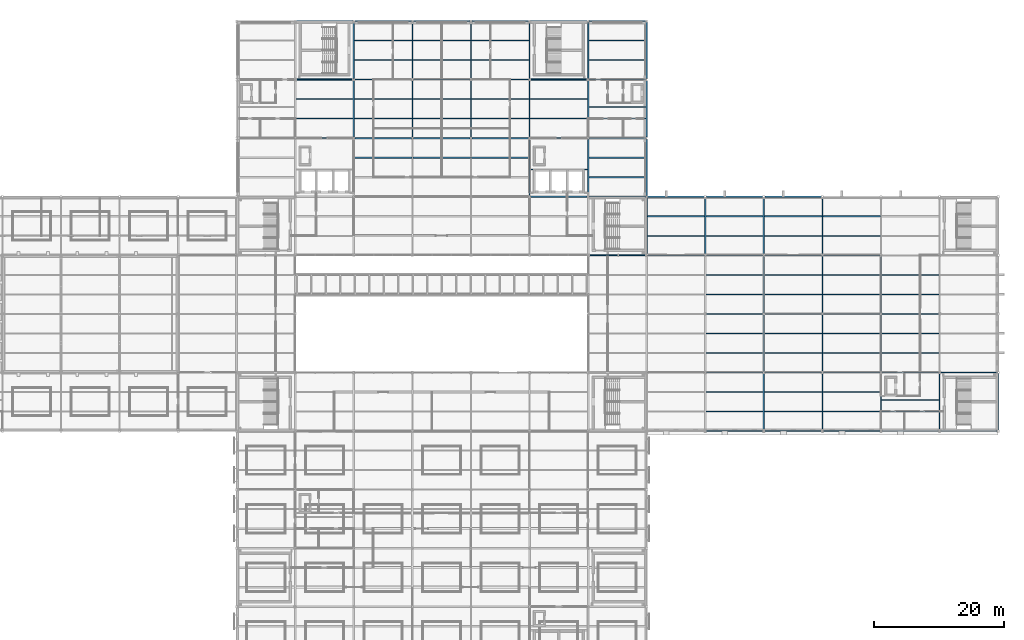
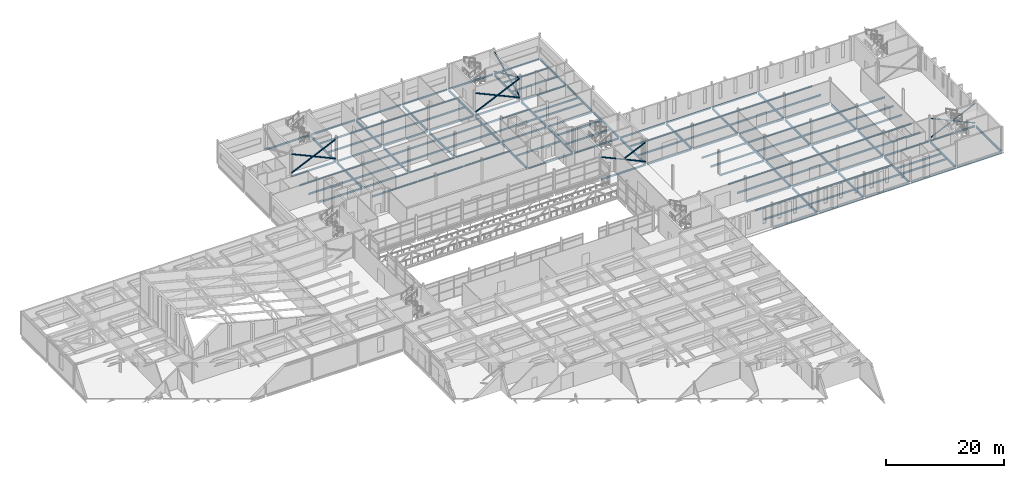
# One storey, part 70 of 115: 130 beams, 10 members.
"""IFC4 building model written with IfcOpenShell, lengths in metres."""

from ifc_helpers import new_model, si_unit, direction, frame, origin, origin_2d, place, context, subcontext, project, spatial, hollow_circle, i_section, extrude, material, material_profile, profile_set, type_object, element, save


model = new_model("IFC4")

# Units and contexts
model_context = context("Model", 3, precision=1e-05, world=origin(), true_north=direction((0.0, 1.0)))
body_context = subcontext(model_context, "Body", "Model", "MODEL_VIEW")
ifc_project = project(units=[si_unit("LENGTHUNIT", "METRE"), si_unit("AREAUNIT", "SQUARE_METRE"), si_unit("VOLUMEUNIT", "CUBIC_METRE"), si_unit("PLANEANGLEUNIT", "RADIAN"), si_unit("MASSUNIT", "GRAM", prefix="KILO")], contexts=[model_context])

# Site, building, storey
site_placement = place(None, origin())
site = spatial("IfcSite", under=ifc_project, at=site_placement, CompositionType="ELEMENT")
building_placement = place(site_placement, origin())
building = spatial("IfcBuilding", under=site, at=building_placement, Name="Shorebreak Coast Museum", CompositionType="ELEMENT")
storey_placement = place(building_placement, frame((0.0, 0.0, 11.0)))
storey = spatial("IfcBuildingStorey", under=building, at=storey_placement, Name="L02", CompositionType="ELEMENT", Elevation=11.0)

# Beams
ifc_material_1 = material(Name="Steel Grade 300", Category="steel")
ifc_material_profile_1 = material_profile(ifc_material_1, i_section(OverallWidth=0.1708984375, OverallDepth=0.355712890625, WebThickness=0.00732421875, FlangeThickness=0.011474609375, FilletRadius=0.011474609375, at=origin_2d()), Name="360UB50.7")
ifc_profile_set_1 = profile_set([ifc_material_profile_1], Name="Steel Grade 300")
beam_type_1 = type_object("IfcBeamType", Name="Floor girder east-west 360UB50.7", PredefinedType="BEAM", material=ifc_profile_set_1)
for number, where, z_axis, x_axis, name in (
    (1, (126.14990234375, 54.0, -0.352783203125), (1.0, 0.0, 0.0), (0.0, 1.0, 0.0), "Floor girder east-west L02 15G"),
    (2, (135.14990234375, 54.0, -0.352783203125), (1.0, 0.0, 0.0), (0.0, 1.0, 0.0), "Floor girder east-west L02 16G"),
    (3, (144.14990234375, 54.0, -0.352783203125), (1.0, 0.0, 0.0), (0.0, 1.0, 0.0), "Floor girder east-west L02 17G"),
    (4, (153.14990234375, 54.0, -0.352783203125), (1.0, 0.0, 0.0), (0.0, 1.0, 0.0), "Floor girder east-west L02 18G"),
    (5, (162.14990234375, 54.0, -0.352783203125), (1.0, 0.0, 0.0), (0.0, 1.0, 0.0), "Floor girder east-west L02 19G"),
):
    element("IfcBeam", number, at=place(storey_placement, frame(where, z_axis=z_axis, x_axis=x_axis)), inside=storey, type_object=beam_type_1, Name=name, PredefinedType="BEAM", context=body_context, shape_type="SweptSolid", body=[
        extrude(i_section(OverallWidth=0.1708984375, OverallDepth=0.355712890625, WebThickness=0.00732421875, FlangeThickness=0.011474609375, FilletRadius=0.011474609375, at=origin_2d()), origin(), (0.0, 0.0, 1.0), 8.7001953125),
    ])
for number, where, z_axis, x_axis, name in (
    (6, (126.154541015625, 63.0, -0.352783203125), (1.0, 0.0, 0.0), (0.0, 1.0, 0.0), "Floor girder east-west L02 15H"),
    (7, (135.154541015625, 63.0, -0.352783203125), (1.0, 0.0, 0.0), (0.0, 1.0, 0.0), "Floor girder east-west L02 16H"),
    (8, (144.154541015625, 63.0, -0.352783203125), (1.0, 0.0, 0.0), (0.0, 1.0, 0.0), "Floor girder east-west L02 17H"),
    (9, (153.154541015625, 63.0, -0.352783203125), (1.0, 0.0, 0.0), (0.0, 1.0, 0.0), "Floor girder east-west L02 18H"),
):
    element("IfcBeam", number, at=place(storey_placement, frame(where, z_axis=z_axis, x_axis=x_axis)), inside=storey, type_object=beam_type_1, Name=name, PredefinedType="BEAM", context=body_context, shape_type="SweptSolid", body=[
        extrude(i_section(OverallWidth=0.1708984375, OverallDepth=0.355712890625, WebThickness=0.00732421875, FlangeThickness=0.011474609375, FilletRadius=0.011474609375, at=origin_2d()), origin(), (0.0, 0.0, 1.0), 8.69091796875),
    ])
beam_1_placement = place(storey_placement, frame((162.154541015625, 63.0, -0.352783203125), z_axis=(1.0, 0.0, 0.0), x_axis=(0.0, 1.0, 0.0)))
element("IfcBeam", 10, at=beam_1_placement, inside=storey, type_object=beam_type_1, Name="Floor girder east-west L02 19H", PredefinedType="BEAM", context=body_context, shape_type="SweptSolid", body=[
    extrude(i_section(OverallWidth=0.1708984375, OverallDepth=0.355712890625, WebThickness=0.00732421875, FlangeThickness=0.011474609375, FilletRadius=0.011474609375, at=origin_2d()), origin(), (0.0, 0.0, 1.0), 8.695556640625),
])
for number, where, z_axis, x_axis, name in (
    (11, (126.154541015625, 72.0, -0.352783203125), (1.0, 0.0, 0.0), (0.0, 1.0, 0.0), "Floor girder east-west L02 15J"),
    (12, (135.154541015625, 72.0, -0.352783203125), (1.0, 0.0, 0.0), (0.0, 1.0, 0.0), "Floor girder east-west L02 16J"),
    (13, (144.154541015625, 72.0, -0.352783203125), (1.0, 0.0, 0.0), (0.0, 1.0, 0.0), "Floor girder east-west L02 17J"),
    (14, (153.154541015625, 72.0, -0.352783203125), (1.0, 0.0, 0.0), (0.0, 1.0, 0.0), "Floor girder east-west L02 18J"),
    (15, (117.154541015625, 81.0, -0.352783203125), (1.0, 0.0, 0.0), (0.0, 1.0, 0.0), "Floor girder east-west L02 14K"),
    (16, (126.154541015625, 81.0, -0.352783203125), (1.0, 0.0, 0.0), (0.0, 1.0, 0.0), "Floor girder east-west L02 15K"),
    (17, (135.154541015625, 81.0, -0.352783203125), (1.0, 0.0, 0.0), (0.0, 1.0, 0.0), "Floor girder east-west L02 16K"),
    (18, (144.154541015625, 81.0, -0.352783203125), (1.0, 0.0, 0.0), (0.0, 1.0, 0.0), "Floor girder east-west L02 17K"),
):
    element("IfcBeam", number, at=place(storey_placement, frame(where, z_axis=z_axis, x_axis=x_axis)), inside=storey, type_object=beam_type_1, Name=name, PredefinedType="BEAM", context=body_context, shape_type="SweptSolid", body=[
        extrude(i_section(OverallWidth=0.1708984375, OverallDepth=0.355712890625, WebThickness=0.00732421875, FlangeThickness=0.011474609375, FilletRadius=0.011474609375, at=origin_2d()), origin(), (0.0, 0.0, 1.0), 8.69091796875),
    ])
beam_2_placement = place(storey_placement, frame((117.155517578125, 90.0, -0.352783203125), z_axis=(1.0, 0.0, 0.0), x_axis=(0.0, 1.0, 0.0)))
element("IfcBeam", 19, at=beam_2_placement, inside=storey, type_object=beam_type_1, Name="Floor girder east-west L02 14L", PredefinedType="BEAM", context=body_context, shape_type="SweptSolid", body=[
    extrude(i_section(OverallWidth=0.1708984375, OverallDepth=0.355712890625, WebThickness=0.00732421875, FlangeThickness=0.011474609375, FilletRadius=0.011474609375, at=origin_2d()), origin(), (0.0, 0.0, 1.0), 8.694580078125),
])
for number, where, z_axis, x_axis, name in (
    (20, (126.14990234375, 90.0, -0.352783203125), (1.0, 0.0, 0.0), (0.0, 1.0, 0.0), "Floor girder east-west L02 15L"),
    (21, (135.14990234375, 90.0, -0.352783203125), (1.0, 0.0, 0.0), (0.0, 1.0, 0.0), "Floor girder east-west L02 16L"),
):
    element("IfcBeam", number, at=place(storey_placement, frame(where, z_axis=z_axis, x_axis=x_axis)), inside=storey, type_object=beam_type_1, Name=name, PredefinedType="BEAM", context=body_context, shape_type="SweptSolid", body=[
        extrude(i_section(OverallWidth=0.1708984375, OverallDepth=0.355712890625, WebThickness=0.00732421875, FlangeThickness=0.011474609375, FilletRadius=0.011474609375, at=origin_2d()), origin(), (0.0, 0.0, 1.0), 8.7001953125),
    ])
ifc_material_2 = material(Name="Steel Grade 300", Category="steel")
ifc_material_profile_2 = material_profile(ifc_material_2, i_section(OverallWidth=0.172119140625, OverallDepth=0.358642578125, WebThickness=0.008056640625, FlangeThickness=0.012939453125, FilletRadius=0.011474609375, at=origin_2d()), Name="360UB56.7")
ifc_profile_set_2 = profile_set([ifc_material_profile_2], Name="Steel Grade 300")
beam_type_2 = type_object("IfcBeamType", Name="Floor girder east-west 360UB56.7", PredefinedType="BEAM", material=ifc_profile_set_2)
beam_3_placement = place(storey_placement, frame((108.155517578125, 81.0, -0.354248046875), z_axis=(1.0, 0.0, 0.0), x_axis=(0.0, 1.0, 0.0)))
element("IfcBeam", 22, at=beam_3_placement, inside=storey, type_object=beam_type_2, Name="Floor girder east-west L02 13K", PredefinedType="BEAM", context=body_context, shape_type="SweptSolid", body=[
    extrude(i_section(OverallWidth=0.172119140625, OverallDepth=0.358642578125, WebThickness=0.008056640625, FlangeThickness=0.012939453125, FilletRadius=0.011474609375, at=origin_2d()), origin(), (0.0, 0.0, 1.0), 8.68994140625),
])
for number, where, z_axis, x_axis, name in (
    (23, (99.155517578125, 90.0, -0.354248046875), (1.0, 0.0, 0.0), (0.0, 1.0, 0.0), "Floor girder east-west L02 12L"),
    (24, (108.155517578125, 90.0, -0.354248046875), (1.0, 0.0, 0.0), (0.0, 1.0, 0.0), "Floor girder east-west L02 13L"),
):
    element("IfcBeam", number, at=place(storey_placement, frame(where, z_axis=z_axis, x_axis=x_axis)), inside=storey, type_object=beam_type_2, Name=name, PredefinedType="BEAM", context=body_context, shape_type="SweptSolid", body=[
        extrude(i_section(OverallWidth=0.172119140625, OverallDepth=0.358642578125, WebThickness=0.008056640625, FlangeThickness=0.012939453125, FilletRadius=0.011474609375, at=origin_2d()), origin(), (0.0, 0.0, 1.0), 8.68896484375),
    ])
for number, where, z_axis, x_axis, name in (
    (25, (63.154541015625, 99.0, -0.354248046875), (1.0, 0.0, 0.0), (0.0, 1.0, 0.0), "Floor girder east-west L02 8M"),
    (26, (72.154541015625, 99.0, -0.354248046875), (1.0, 0.0, 0.0), (0.0, 1.0, 0.0), "Floor girder east-west L02 9M"),
    (27, (81.154541015625, 99.0, -0.354248046875), (1.0, 0.0, 0.0), (0.0, 1.0, 0.0), "Floor girder east-west L02 10M"),
    (28, (90.154541015625, 99.0, -0.354248046875), (1.0, 0.0, 0.0), (0.0, 1.0, 0.0), "Floor girder east-west L02 11M"),
    (29, (99.154541015625, 99.0, -0.354248046875), (1.0, 0.0, 0.0), (0.0, 1.0, 0.0), "Floor girder east-west L02 12M"),
    (30, (108.154541015625, 99.0, -0.354248046875), (1.0, 0.0, 0.0), (0.0, 1.0, 0.0), "Floor girder east-west L02 13M"),
    (31, (63.154541015625, 108.0, -0.354248046875), (1.0, 0.0, 0.0), (0.0, 1.0, 0.0), "Floor girder east-west L02 8N"),
    (32, (72.154541015625, 108.0, -0.354248046875), (1.0, 0.0, 0.0), (0.0, 1.0, 0.0), "Floor girder east-west L02 9N"),
    (33, (81.154541015625, 108.0, -0.354248046875), (1.0, 0.0, 0.0), (0.0, 1.0, 0.0), "Floor girder east-west L02 10N"),
    (34, (90.154541015625, 108.0, -0.354248046875), (1.0, 0.0, 0.0), (0.0, 1.0, 0.0), "Floor girder east-west L02 11N"),
    (35, (99.154541015625, 108.0, -0.354248046875), (1.0, 0.0, 0.0), (0.0, 1.0, 0.0), "Floor girder east-west L02 12N"),
    (36, (108.154541015625, 108.0, -0.354248046875), (1.0, 0.0, 0.0), (0.0, 1.0, 0.0), "Floor girder east-west L02 13N"),
):
    element("IfcBeam", number, at=place(storey_placement, frame(where, z_axis=z_axis, x_axis=x_axis)), inside=storey, type_object=beam_type_2, Name=name, PredefinedType="BEAM", context=body_context, shape_type="SweptSolid", body=[
        extrude(i_section(OverallWidth=0.172119140625, OverallDepth=0.358642578125, WebThickness=0.008056640625, FlangeThickness=0.012939453125, FilletRadius=0.011474609375, at=origin_2d()), origin(), (0.0, 0.0, 1.0), 8.69091796875),
    ])
for number, where, z_axis, x_axis, name in (
    (37, (63.155517578125, 117.0, -0.354248046875), (1.0, 0.0, 0.0), (0.0, 1.0, 0.0), "Floor girder east-west L02 8P"),
    (38, (72.155517578125, 117.0, -0.354248046875), (1.0, 0.0, 0.0), (0.0, 1.0, 0.0), "Floor girder east-west L02 9P"),
    (39, (81.155517578125, 117.0, -0.354248046875), (1.0, 0.0, 0.0), (0.0, 1.0, 0.0), "Floor girder east-west L02 10P"),
    (40, (90.155517578125, 117.0, -0.354248046875), (1.0, 0.0, 0.0), (0.0, 1.0, 0.0), "Floor girder east-west L02 11P"),
    (41, (99.155517578125, 117.0, -0.354248046875), (1.0, 0.0, 0.0), (0.0, 1.0, 0.0), "Floor girder east-west L02 12P"),
    (42, (108.155517578125, 117.0, -0.354248046875), (1.0, 0.0, 0.0), (0.0, 1.0, 0.0), "Floor girder east-west L02 13P"),
):
    element("IfcBeam", number, at=place(storey_placement, frame(where, z_axis=z_axis, x_axis=x_axis)), inside=storey, type_object=beam_type_2, Name=name, PredefinedType="BEAM", context=body_context, shape_type="SweptSolid", body=[
        extrude(i_section(OverallWidth=0.172119140625, OverallDepth=0.358642578125, WebThickness=0.008056640625, FlangeThickness=0.012939453125, FilletRadius=0.011474609375, at=origin_2d()), origin(), (0.0, 0.0, 1.0), 8.68896484375),
    ])
ifc_material_3 = material(Name="Steel Grade 300", Category="steel")
ifc_material_profile_3 = material_profile(ifc_material_3, i_section(OverallWidth=0.19091796875, OverallDepth=0.46044921875, WebThickness=0.010009765625, FlangeThickness=0.01611328125, FilletRadius=0.011474609375, at=origin_2d()), Name="460UB82.1")
ifc_profile_set_3 = profile_set([ifc_material_profile_3], Name="Steel Grade 300")
beam_type_3 = type_object("IfcBeamType", Name="Floor girder north-south 460UB82.1", PredefinedType="BEAM", material=ifc_profile_set_3)
for number, where, z_axis, x_axis, name in (
    (43, (135.0, 54.14990234375, -0.4052734375), (0.0, 1.0, 0.0), (-1.0, 0.0, 0.0), "Floor girder north-south L02 16G"),
    (44, (144.0, 54.14990234375, -0.4052734375), (0.0, 1.0, 0.0), (-1.0, 0.0, 0.0), "Floor girder north-south L02 17G"),
    (45, (153.0, 54.14990234375, -0.4052734375), (0.0, 1.0, 0.0), (-1.0, 0.0, 0.0), "Floor girder north-south L02 18G"),
    (46, (162.0, 54.14990234375, -0.4052734375), (0.0, 1.0, 0.0), (-1.0, 0.0, 0.0), "Floor girder north-south L02 19G"),
):
    element("IfcBeam", number, at=place(storey_placement, frame(where, z_axis=z_axis, x_axis=x_axis)), inside=storey, type_object=beam_type_3, Name=name, PredefinedType="BEAM", context=body_context, shape_type="SweptSolid", body=[
        extrude(i_section(OverallWidth=0.19091796875, OverallDepth=0.46044921875, WebThickness=0.010009765625, FlangeThickness=0.01611328125, FilletRadius=0.011474609375, at=origin_2d()), origin(), (0.0, 0.0, 1.0), 8.689697265625),
    ])
beam_4_placement = place(storey_placement, frame((171.0, 54.14990234375, -0.4052734375), z_axis=(0.0, 1.0, 0.0), x_axis=(-1.0, 0.0, 0.0)))
element("IfcBeam", 47, at=beam_4_placement, inside=storey, type_object=beam_type_3, Name="Floor girder north-south L02 20G", PredefinedType="BEAM", context=body_context, shape_type="SweptSolid", body=[
    extrude(i_section(OverallWidth=0.19091796875, OverallDepth=0.46044921875, WebThickness=0.010009765625, FlangeThickness=0.01611328125, FilletRadius=0.011474609375, at=origin_2d()), origin(), (0.0, 0.0, 1.0), 8.7001953125),
])
for number, where, z_axis, x_axis, name in (
    (48, (135.0, 63.160400390625, -0.4052734375), (0.0, 1.0, 0.0), (-1.0, 0.0, 0.0), "Floor girder north-south L02 16H"),
    (49, (144.0, 63.160400390625, -0.4052734375), (0.0, 1.0, 0.0), (-1.0, 0.0, 0.0), "Floor girder north-south L02 17H"),
    (50, (153.0, 63.160400390625, -0.4052734375), (0.0, 1.0, 0.0), (-1.0, 0.0, 0.0), "Floor girder north-south L02 18H"),
    (51, (135.0, 72.160400390625, -0.4052734375), (0.0, 1.0, 0.0), (-1.0, 0.0, 0.0), "Floor girder north-south L02 16J"),
    (52, (144.0, 72.160400390625, -0.4052734375), (0.0, 1.0, 0.0), (-1.0, 0.0, 0.0), "Floor girder north-south L02 17J"),
    (53, (153.0, 72.160400390625, -0.4052734375), (0.0, 1.0, 0.0), (-1.0, 0.0, 0.0), "Floor girder north-south L02 18J"),
):
    element("IfcBeam", number, at=place(storey_placement, frame(where, z_axis=z_axis, x_axis=x_axis)), inside=storey, type_object=beam_type_3, Name=name, PredefinedType="BEAM", context=body_context, shape_type="SweptSolid", body=[
        extrude(i_section(OverallWidth=0.19091796875, OverallDepth=0.46044921875, WebThickness=0.010009765625, FlangeThickness=0.01611328125, FilletRadius=0.011474609375, at=origin_2d()), origin(), (0.0, 0.0, 1.0), 8.67919921875),
    ])
beam_5_placement = place(storey_placement, frame((117.0, 81.160400390625, -0.4052734375), z_axis=(0.0, 1.0, 0.0), x_axis=(-1.0, 0.0, 0.0)))
element("IfcBeam", 54, at=beam_5_placement, inside=storey, type_object=beam_type_3, Name="Floor girder north-south L02 14K", PredefinedType="BEAM", context=body_context, shape_type="SweptSolid", body=[
    extrude(i_section(OverallWidth=0.19091796875, OverallDepth=0.46044921875, WebThickness=0.010009765625, FlangeThickness=0.01611328125, FilletRadius=0.011474609375, at=origin_2d()), origin(), (0.0, 0.0, 1.0), 8.676025390625),
])
for number, where, z_axis, x_axis, name in (
    (55, (126.0, 81.160400390625, -0.4052734375), (0.0, 1.0, 0.0), (-1.0, 0.0, 0.0), "Floor girder north-south L02 15K"),
    (56, (135.0, 81.160400390625, -0.4052734375), (0.0, 1.0, 0.0), (-1.0, 0.0, 0.0), "Floor girder north-south L02 16K"),
    (57, (144.0, 81.160400390625, -0.4052734375), (0.0, 1.0, 0.0), (-1.0, 0.0, 0.0), "Floor girder north-south L02 17K"),
):
    element("IfcBeam", number, at=place(storey_placement, frame(where, z_axis=z_axis, x_axis=x_axis)), inside=storey, type_object=beam_type_3, Name=name, PredefinedType="BEAM", context=body_context, shape_type="SweptSolid", body=[
        extrude(i_section(OverallWidth=0.19091796875, OverallDepth=0.46044921875, WebThickness=0.010009765625, FlangeThickness=0.01611328125, FilletRadius=0.011474609375, at=origin_2d()), origin(), (0.0, 0.0, 1.0), 8.689697265625),
    ])
for number, where, z_axis, x_axis, name in (
    (58, (99.0, 90.16357421875, -0.4052734375), (0.0, 1.0, 0.0), (-1.0, 0.0, 0.0), "Floor girder north-south L02 12L"),
    (59, (108.0, 90.16357421875, -0.4052734375), (0.0, 1.0, 0.0), (-1.0, 0.0, 0.0), "Floor girder north-south L02 13L"),
    (60, (117.0, 90.16357421875, -0.4052734375), (0.0, 1.0, 0.0), (-1.0, 0.0, 0.0), "Floor girder north-south L02 14L"),
):
    element("IfcBeam", number, at=place(storey_placement, frame(where, z_axis=z_axis, x_axis=x_axis)), inside=storey, type_object=beam_type_3, Name=name, PredefinedType="BEAM", context=body_context, shape_type="SweptSolid", body=[
        extrude(i_section(OverallWidth=0.19091796875, OverallDepth=0.46044921875, WebThickness=0.010009765625, FlangeThickness=0.01611328125, FilletRadius=0.011474609375, at=origin_2d()), origin(), (0.0, 0.0, 1.0), 8.676025390625),
    ])
for number, where, z_axis, x_axis, name in (
    (61, (72.0, 99.160400390625, -0.4052734375), (0.0, 1.0, 0.0), (-1.0, 0.0, 0.0), "Floor girder north-south L02 9M"),
    (62, (81.0, 99.160400390625, -0.4052734375), (0.0, 1.0, 0.0), (-1.0, 0.0, 0.0), "Floor girder north-south L02 10M"),
    (63, (90.0, 99.160400390625, -0.4052734375), (0.0, 1.0, 0.0), (-1.0, 0.0, 0.0), "Floor girder north-south L02 11M"),
    (64, (99.0, 99.160400390625, -0.4052734375), (0.0, 1.0, 0.0), (-1.0, 0.0, 0.0), "Floor girder north-south L02 12M"),
    (65, (108.0, 99.160400390625, -0.4052734375), (0.0, 1.0, 0.0), (-1.0, 0.0, 0.0), "Floor girder north-south L02 13M"),
    (66, (117.0, 99.160400390625, -0.4052734375), (0.0, 1.0, 0.0), (-1.0, 0.0, 0.0), "Floor girder north-south L02 14M"),
):
    element("IfcBeam", number, at=place(storey_placement, frame(where, z_axis=z_axis, x_axis=x_axis)), inside=storey, type_object=beam_type_3, Name=name, PredefinedType="BEAM", context=body_context, shape_type="SweptSolid", body=[
        extrude(i_section(OverallWidth=0.19091796875, OverallDepth=0.46044921875, WebThickness=0.010009765625, FlangeThickness=0.01611328125, FilletRadius=0.011474609375, at=origin_2d()), origin(), (0.0, 0.0, 1.0), 8.67919921875),
    ])
for number, where, z_axis, x_axis, name in (
    (67, (72.0, 108.160400390625, -0.4052734375), (0.0, 1.0, 0.0), (-1.0, 0.0, 0.0), "Floor girder north-south L02 9N"),
    (68, (81.0, 108.160400390625, -0.4052734375), (0.0, 1.0, 0.0), (-1.0, 0.0, 0.0), "Floor girder north-south L02 10N"),
    (69, (90.0, 108.160400390625, -0.4052734375), (0.0, 1.0, 0.0), (-1.0, 0.0, 0.0), "Floor girder north-south L02 11N"),
    (70, (99.0, 108.160400390625, -0.4052734375), (0.0, 1.0, 0.0), (-1.0, 0.0, 0.0), "Floor girder north-south L02 12N"),
    (71, (108.0, 108.160400390625, -0.4052734375), (0.0, 1.0, 0.0), (-1.0, 0.0, 0.0), "Floor girder north-south L02 13N"),
    (72, (117.0, 108.160400390625, -0.4052734375), (0.0, 1.0, 0.0), (-1.0, 0.0, 0.0), "Floor girder north-south L02 14N"),
):
    element("IfcBeam", number, at=place(storey_placement, frame(where, z_axis=z_axis, x_axis=x_axis)), inside=storey, type_object=beam_type_3, Name=name, PredefinedType="BEAM", context=body_context, shape_type="SweptSolid", body=[
        extrude(i_section(OverallWidth=0.19091796875, OverallDepth=0.46044921875, WebThickness=0.010009765625, FlangeThickness=0.01611328125, FilletRadius=0.011474609375, at=origin_2d()), origin(), (0.0, 0.0, 1.0), 8.676025390625),
    ])
ifc_material_4 = material(Name="Steel Grade 300", Category="steel")
ifc_material_profile_4 = material_profile(ifc_material_4, i_section(OverallWidth=0.1708984375, OverallDepth=0.35205078125, WebThickness=0.0068359375, FlangeThickness=0.009765625, FilletRadius=0.011474609375, at=origin_2d()), Name="360UB44.7")
ifc_profile_set_4 = profile_set([ifc_material_profile_4], Name="Steel Grade 300")
beam_type_4 = type_object("IfcBeamType", Name="Floor joist 360UB44.7", PredefinedType="JOIST", material=ifc_profile_set_4)
for number, where, z_axis, x_axis, name in (
    (73, (72.095458984375, 96.0, -0.35107421875), (1.0, 0.0, 0.0), (0.0, 1.0, 0.0), "Floor joist L02 bay 9L at 6000 mm"),
    (74, (81.095458984375, 96.0, -0.35107421875), (1.0, 0.0, 0.0), (0.0, 1.0, 0.0), "Floor joist L02 bay 10L at 6000 mm"),
    (75, (90.095458984375, 96.0, -0.35107421875), (1.0, 0.0, 0.0), (0.0, 1.0, 0.0), "Floor joist L02 bay 11L at 6000 mm"),
    (76, (99.095458984375, 94.199951171875, -0.35107421875), (1.0, 0.0, 0.0), (0.0, 1.0, 0.0), "Floor joist L02 bay 12L at 4200 mm"),
    (77, (108.095458984375, 93.0, -0.35107421875), (1.0, 0.0, 0.0), (0.0, 1.0, 0.0), "Floor joist L02 bay 13L at 3000 mm"),
    (78, (108.095458984375, 96.0, -0.35107421875), (1.0, 0.0, 0.0), (0.0, 1.0, 0.0), "Floor joist L02 bay 13L at 6000 mm"),
    (79, (63.095458984375, 102.0, -0.35107421875), (1.0, 0.0, 0.0), (0.0, 1.0, 0.0), "Floor joist L02 bay 8M at 3000 mm"),
    (80, (63.095458984375, 105.0, -0.35107421875), (1.0, 0.0, 0.0), (0.0, 1.0, 0.0), "Floor joist L02 bay 8M at 6000 mm"),
    (81, (72.095458984375, 102.0, -0.35107421875), (1.0, 0.0, 0.0), (0.0, 1.0, 0.0), "Floor joist L02 bay 9M at 3000 mm"),
    (82, (72.095458984375, 105.0, -0.35107421875), (1.0, 0.0, 0.0), (0.0, 1.0, 0.0), "Floor joist L02 bay 9M at 6000 mm"),
    (83, (81.095458984375, 102.0, -0.35107421875), (1.0, 0.0, 0.0), (0.0, 1.0, 0.0), "Floor joist L02 bay 10M at 3000 mm"),
    (84, (81.095458984375, 105.0, -0.35107421875), (1.0, 0.0, 0.0), (0.0, 1.0, 0.0), "Floor joist L02 bay 10M at 6000 mm"),
    (85, (90.095458984375, 102.0, -0.35107421875), (1.0, 0.0, 0.0), (0.0, 1.0, 0.0), "Floor joist L02 bay 11M at 3000 mm"),
    (86, (90.095458984375, 105.0, -0.35107421875), (1.0, 0.0, 0.0), (0.0, 1.0, 0.0), "Floor joist L02 bay 11M at 6000 mm"),
    (87, (99.095458984375, 102.0, -0.35107421875), (1.0, 0.0, 0.0), (0.0, 1.0, 0.0), "Floor joist L02 bay 12M at 3000 mm"),
    (88, (99.095458984375, 105.0, -0.35107421875), (1.0, 0.0, 0.0), (0.0, 1.0, 0.0), "Floor joist L02 bay 12M at 6000 mm"),
    (89, (108.095458984375, 102.0, -0.35107421875), (1.0, 0.0, 0.0), (0.0, 1.0, 0.0), "Floor joist L02 bay 13M at 3000 mm"),
    (90, (108.095458984375, 103.800048828125, -0.35107421875), (1.0, 0.0, 0.0), (0.0, 1.0, 0.0), "Floor joist L02 bay 13M at 4800 mm"),
    (91, (72.095458984375, 111.0, -0.35107421875), (1.0, 0.0, 0.0), (0.0, 1.0, 0.0), "Floor joist L02 bay 9N at 3000 mm"),
    (92, (72.095458984375, 114.0, -0.35107421875), (1.0, 0.0, 0.0), (0.0, 1.0, 0.0), "Floor joist L02 bay 9N at 6000 mm"),
    (93, (81.095458984375, 111.0, -0.35107421875), (1.0, 0.0, 0.0), (0.0, 1.0, 0.0), "Floor joist L02 bay 10N at 3000 mm"),
    (94, (81.095458984375, 114.0, -0.35107421875), (1.0, 0.0, 0.0), (0.0, 1.0, 0.0), "Floor joist L02 bay 10N at 6000 mm"),
    (95, (90.095458984375, 111.0, -0.35107421875), (1.0, 0.0, 0.0), (0.0, 1.0, 0.0), "Floor joist L02 bay 11N at 3000 mm"),
    (96, (90.095458984375, 114.0, -0.35107421875), (1.0, 0.0, 0.0), (0.0, 1.0, 0.0), "Floor joist L02 bay 11N at 6000 mm"),
    (97, (108.095458984375, 111.0, -0.35107421875), (1.0, 0.0, 0.0), (0.0, 1.0, 0.0), "Floor joist L02 bay 13N at 3000 mm"),
    (98, (108.095458984375, 114.0, -0.35107421875), (1.0, 0.0, 0.0), (0.0, 1.0, 0.0), "Floor joist L02 bay 13N at 6000 mm"),
):
    element("IfcBeam", number, at=place(storey_placement, frame(where, z_axis=z_axis, x_axis=x_axis)), inside=storey, type_object=beam_type_4, Name=name, PredefinedType="JOIST", context=body_context, shape_type="SweptSolid", body=[
        extrude(i_section(OverallWidth=0.1708984375, OverallDepth=0.35205078125, WebThickness=0.0068359375, FlangeThickness=0.009765625, FilletRadius=0.011474609375, at=origin_2d()), origin(), (0.0, 0.0, 1.0), 8.80908203125),
    ])
ifc_material_5 = material(Name="Steel Grade 300", Category="steel")
ifc_material_profile_5 = material_profile(ifc_material_5, i_section(OverallWidth=0.1708984375, OverallDepth=0.355712890625, WebThickness=0.00732421875, FlangeThickness=0.011474609375, FilletRadius=0.011474609375, at=origin_2d()), Name="360UB50.7")
ifc_profile_set_5 = profile_set([ifc_material_profile_5], Name="Steel Grade 300")
beam_type_5 = type_object("IfcBeamType", Name="Floor joist 360UB50.7", PredefinedType="JOIST", material=ifc_profile_set_5)
for number, where, z_axis, x_axis, name in (
    (99, (126.095458984375, 57.0, -0.352783203125), (1.0, 0.0, 0.0), (0.0, 1.0, 0.0), "Floor joist L02 bay 15G at 3000 mm"),
    (100, (126.095458984375, 60.0, -0.352783203125), (1.0, 0.0, 0.0), (0.0, 1.0, 0.0), "Floor joist L02 bay 15G at 6000 mm"),
    (101, (135.095458984375, 57.0, -0.352783203125), (1.0, 0.0, 0.0), (0.0, 1.0, 0.0), "Floor joist L02 bay 16G at 3000 mm"),
    (102, (135.095458984375, 60.0, -0.352783203125), (1.0, 0.0, 0.0), (0.0, 1.0, 0.0), "Floor joist L02 bay 16G at 6000 mm"),
    (103, (144.095458984375, 57.0, -0.352783203125), (1.0, 0.0, 0.0), (0.0, 1.0, 0.0), "Floor joist L02 bay 17G at 3000 mm"),
    (104, (144.095458984375, 60.0, -0.352783203125), (1.0, 0.0, 0.0), (0.0, 1.0, 0.0), "Floor joist L02 bay 17G at 6000 mm"),
    (105, (153.095458984375, 57.0, -0.352783203125), (1.0, 0.0, 0.0), (0.0, 1.0, 0.0), "Floor joist L02 bay 18G at 3000 mm"),
    (106, (153.095458984375, 58.800048828125, -0.352783203125), (1.0, 0.0, 0.0), (0.0, 1.0, 0.0), "Floor joist L02 bay 18G at 4800 mm"),
    (107, (126.095458984375, 66.0, -0.352783203125), (1.0, 0.0, 0.0), (0.0, 1.0, 0.0), "Floor joist L02 bay 15H at 3000 mm"),
    (108, (126.095458984375, 69.0, -0.352783203125), (1.0, 0.0, 0.0), (0.0, 1.0, 0.0), "Floor joist L02 bay 15H at 6000 mm"),
    (109, (135.095458984375, 66.0, -0.352783203125), (1.0, 0.0, 0.0), (0.0, 1.0, 0.0), "Floor joist L02 bay 16H at 3000 mm"),
    (110, (135.095458984375, 69.0, -0.352783203125), (1.0, 0.0, 0.0), (0.0, 1.0, 0.0), "Floor joist L02 bay 16H at 6000 mm"),
    (111, (144.095458984375, 66.0, -0.352783203125), (1.0, 0.0, 0.0), (0.0, 1.0, 0.0), "Floor joist L02 bay 17H at 3000 mm"),
    (112, (144.095458984375, 69.0, -0.352783203125), (1.0, 0.0, 0.0), (0.0, 1.0, 0.0), "Floor joist L02 bay 17H at 6000 mm"),
    (113, (153.095458984375, 66.0, -0.352783203125), (1.0, 0.0, 0.0), (0.0, 1.0, 0.0), "Floor joist L02 bay 18H at 3000 mm"),
    (114, (153.095458984375, 69.0, -0.352783203125), (1.0, 0.0, 0.0), (0.0, 1.0, 0.0), "Floor joist L02 bay 18H at 6000 mm"),
    (115, (126.095458984375, 75.0, -0.352783203125), (1.0, 0.0, 0.0), (0.0, 1.0, 0.0), "Floor joist L02 bay 15J at 3000 mm"),
    (116, (126.095458984375, 78.0, -0.352783203125), (1.0, 0.0, 0.0), (0.0, 1.0, 0.0), "Floor joist L02 bay 15J at 6000 mm"),
    (117, (135.095458984375, 75.0, -0.352783203125), (1.0, 0.0, 0.0), (0.0, 1.0, 0.0), "Floor joist L02 bay 16J at 3000 mm"),
    (118, (135.095458984375, 78.0, -0.352783203125), (1.0, 0.0, 0.0), (0.0, 1.0, 0.0), "Floor joist L02 bay 16J at 6000 mm"),
    (119, (144.095458984375, 75.0, -0.352783203125), (1.0, 0.0, 0.0), (0.0, 1.0, 0.0), "Floor joist L02 bay 17J at 3000 mm"),
    (120, (144.095458984375, 78.0, -0.352783203125), (1.0, 0.0, 0.0), (0.0, 1.0, 0.0), "Floor joist L02 bay 17J at 6000 mm"),
    (121, (153.095458984375, 75.0, -0.352783203125), (1.0, 0.0, 0.0), (0.0, 1.0, 0.0), "Floor joist L02 bay 18J at 3000 mm"),
    (122, (153.095458984375, 78.0, -0.352783203125), (1.0, 0.0, 0.0), (0.0, 1.0, 0.0), "Floor joist L02 bay 18J at 6000 mm"),
    (123, (117.095458984375, 84.0, -0.352783203125), (1.0, 0.0, 0.0), (0.0, 1.0, 0.0), "Floor joist L02 bay 14K at 3000 mm"),
    (124, (117.095458984375, 87.0, -0.352783203125), (1.0, 0.0, 0.0), (0.0, 1.0, 0.0), "Floor joist L02 bay 14K at 6000 mm"),
    (125, (126.095458984375, 84.0, -0.352783203125), (1.0, 0.0, 0.0), (0.0, 1.0, 0.0), "Floor joist L02 bay 15K at 3000 mm"),
    (126, (126.095458984375, 87.0, -0.352783203125), (1.0, 0.0, 0.0), (0.0, 1.0, 0.0), "Floor joist L02 bay 15K at 6000 mm"),
    (127, (135.095458984375, 84.0, -0.352783203125), (1.0, 0.0, 0.0), (0.0, 1.0, 0.0), "Floor joist L02 bay 16K at 3000 mm"),
    (128, (135.095458984375, 87.0, -0.352783203125), (1.0, 0.0, 0.0), (0.0, 1.0, 0.0), "Floor joist L02 bay 16K at 6000 mm"),
    (129, (144.095458984375, 84.0, -0.352783203125), (1.0, 0.0, 0.0), (0.0, 1.0, 0.0), "Floor joist L02 bay 17K at 3000 mm"),
    (130, (144.095458984375, 87.0, -0.352783203125), (1.0, 0.0, 0.0), (0.0, 1.0, 0.0), "Floor joist L02 bay 17K at 6000 mm"),
):
    element("IfcBeam", number, at=place(storey_placement, frame(where, z_axis=z_axis, x_axis=x_axis)), inside=storey, type_object=beam_type_5, Name=name, PredefinedType="JOIST", context=body_context, shape_type="SweptSolid", body=[
        extrude(i_section(OverallWidth=0.1708984375, OverallDepth=0.355712890625, WebThickness=0.00732421875, FlangeThickness=0.011474609375, FilletRadius=0.011474609375, at=origin_2d()), origin(), (0.0, 0.0, 1.0), 8.80908203125),
    ])

# Members
ifc_material_6 = material(Name="Steel Grade C350L0", Category="steel")
ifc_material_profile_6 = material_profile(ifc_material_6, hollow_circle(Radius=0.109619140625, WallThickness=0.00830078125, at=origin_2d()), Name="219.1x8.2 CHS")
ifc_profile_set_6 = profile_set([ifc_material_profile_6], Name="Steel Grade C350L0")
member_type_1 = type_object("IfcMemberType", Name="X-brace 219.1x8.2 CHS", PredefinedType="BRACE", material=ifc_profile_set_6)
for number, where, z_axis, x_axis, name in (
    (131, (162.153564453125, 63.0, 0.300048828125), (0.90950233373, 0.0, 0.415698815178), (0.0, 1.0, 0.0), "X-brace bay 07 L02 diagonal 1"),
    (132, (170.85009765625, 63.0, 0.300048828125), (-0.90950233373, 0.0, 0.415698815178), (0.0, -1.0, 0.0), "X-brace bay 07 L02 diagonal 2"),
):
    element("IfcMember", number, at=place(storey_placement, frame(where, z_axis=z_axis, x_axis=x_axis)), inside=storey, type_object=member_type_1, Name=name, PredefinedType="BRACE", context=body_context, shape_type="SweptSolid", body=[
        extrude(hollow_circle(Radius=0.109619140625, WallThickness=0.00830078125, at=origin_2d()), origin(), (0.0, 0.0, 1.0), 9.561767578125),
    ])
ifc_material_7 = material(Name="Steel Grade C350L0", Category="steel")
ifc_material_profile_7 = material_profile(ifc_material_7, hollow_circle(Radius=0.136474609375, WallThickness=0.00927734375, at=origin_2d()), Name="273.1x9.3 CHS")
ifc_profile_set_7 = profile_set([ifc_material_profile_7], Name="Steel Grade C350L0")
member_type_2 = type_object("IfcMemberType", Name="X-brace 273.1x9.3 CHS", PredefinedType="BRACE", material=ifc_profile_set_7)
member_1_placement = place(storey_placement, frame((112.64111328125, 81.0, 2.3515625), z_axis=(0.909400312319, 0.0, 0.415921954162), x_axis=(0.0, 1.0, 0.0)))
element("IfcMember", 133, at=member_1_placement, inside=storey, type_object=member_type_2, Name="X-brace bay 04 L02 diagonal 1", PredefinedType="BRACE", context=body_context, shape_type="SweptSolid", body=[
    extrude(hollow_circle(Radius=0.136474609375, WallThickness=0.00927734375, at=origin_2d()), origin(), (0.0, 0.0, 1.0), 4.624267578125),
])
member_2_placement = place(storey_placement, frame((116.846435546875, 81.0, 0.300048828125), z_axis=(-0.90940077175, 0.0, 0.415920949628), x_axis=(0.0, -1.0, 0.0)))
element("IfcMember", 134, at=member_2_placement, inside=storey, type_object=member_type_2, Name="X-brace bay 04 L02 diagonal 2", PredefinedType="BRACE", context=body_context, shape_type="SweptSolid", body=[
    extrude(hollow_circle(Radius=0.136474609375, WallThickness=0.00927734375, at=origin_2d()), origin(), (0.0, 0.0, 1.0), 9.556640625),
])
for number, where, z_axis, x_axis, name in (
    (135, (63.153564453125, 108.0, 0.300048828125), (0.90943611612, 0.0, 0.415843661365), (0.0, 1.0, 0.0), "X-brace bay 09 L02 diagonal 1"),
    (136, (71.846435546875, 108.0, 0.300048828125), (-0.90943611612, 0.0, 0.415843661365), (0.0, -1.0, 0.0), "X-brace bay 09 L02 diagonal 2"),
    (137, (99.153564453125, 108.0, 0.300048828125), (0.90943611612, 0.0, 0.415843661365), (0.0, 1.0, 0.0), "X-brace bay 11 L02 diagonal 1"),
    (138, (107.846435546875, 108.0, 0.300048828125), (-0.90943611612, 0.0, 0.415843661365), (0.0, -1.0, 0.0), "X-brace bay 11 L02 diagonal 2"),
):
    element("IfcMember", number, at=place(storey_placement, frame(where, z_axis=z_axis, x_axis=x_axis)), inside=storey, type_object=member_type_2, Name=name, PredefinedType="BRACE", context=body_context, shape_type="SweptSolid", body=[
        extrude(hollow_circle(Radius=0.136474609375, WallThickness=0.00927734375, at=origin_2d()), origin(), (0.0, 0.0, 1.0), 9.55859375),
    ])
for number, where, z_axis, x_axis, name in (
    (139, (108.0, 108.1572265625, 0.300048828125), (0.0, 0.909188291089, 0.416385219894), (-1.0, 0.0, 0.0), "X-brace bay 12 L02 diagonal 1"),
    (140, (108.0, 116.83642578125, 0.300048828125), (0.0, -0.909188291089, 0.416385219894), (1.0, 0.0, 0.0), "X-brace bay 12 L02 diagonal 2"),
):
    element("IfcMember", number, at=place(storey_placement, frame(where, z_axis=z_axis, x_axis=x_axis)), inside=storey, type_object=member_type_2, Name=name, PredefinedType="BRACE", context=body_context, shape_type="SweptSolid", body=[
        extrude(hollow_circle(Radius=0.136474609375, WallThickness=0.00927734375, at=origin_2d()), origin(), (0.0, 0.0, 1.0), 9.546142578125),
    ])

save(model, "model.ifc")
